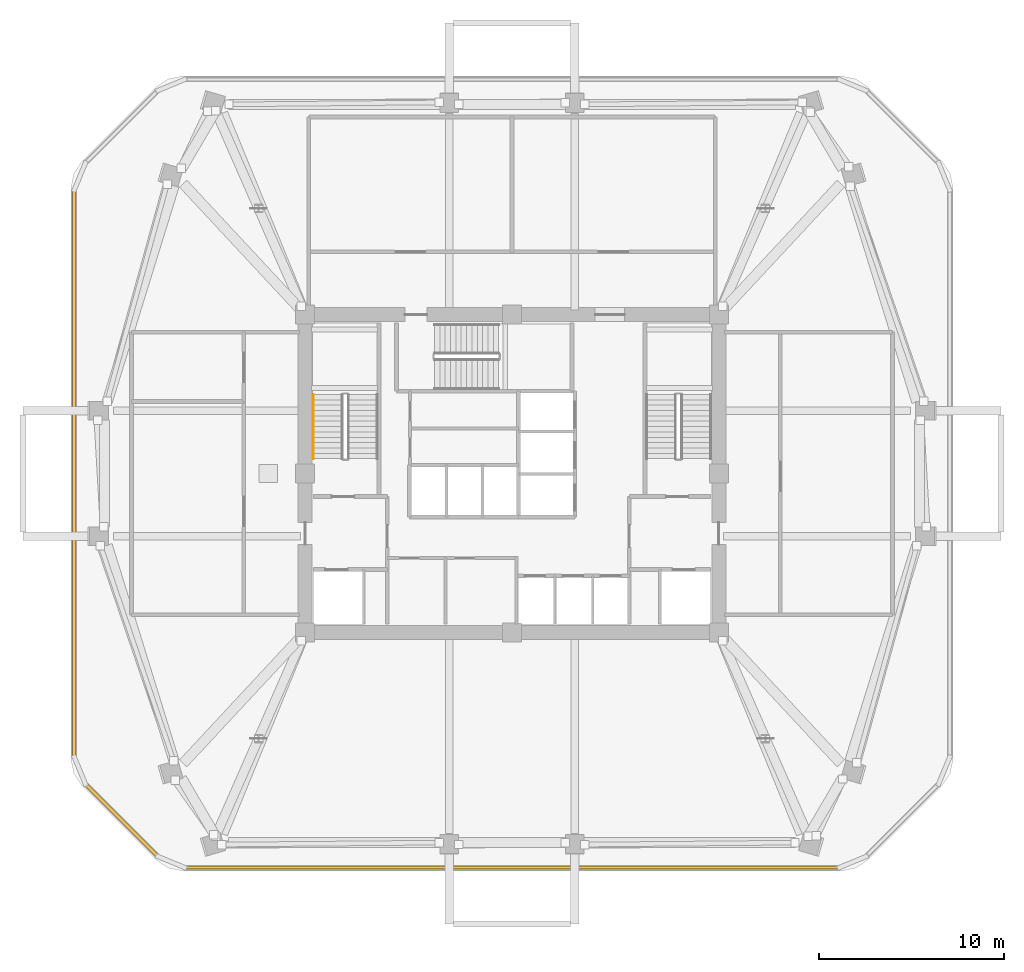
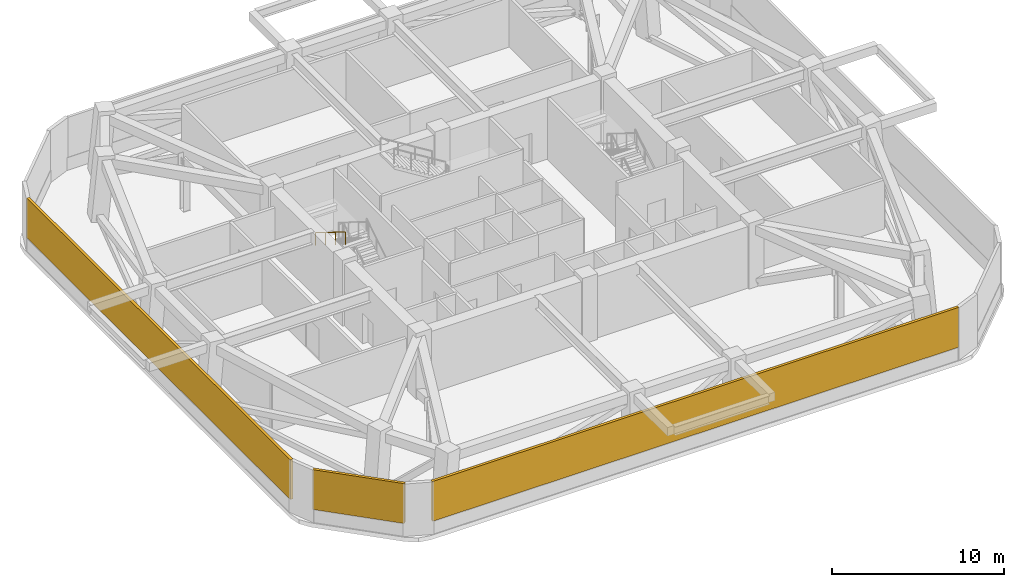
# One storey, part 6 of 8: 3 shading devices, 1 railing.
"""IFC4 building model written with IfcOpenShell, lengths in metres."""

from ifc_helpers import new_model, si_unit, derived_unit, direction, frame, origin, origin_2d, place, context, subcontext, project, spatial, rectangle, extrude, material, layer, layer_set, type_object, element, save


model = new_model("IFC4")

# Units and contexts
model_context = context("Model", 3, precision=1e-05, world=origin(), true_north=direction((0.0, 1.0)))
body_context = subcontext(model_context, "Body", "Model", "MODEL_VIEW")
ifc_project = project(units=[si_unit("LENGTHUNIT", "METRE"), si_unit("AREAUNIT", "SQUARE_METRE"), si_unit("VOLUMEUNIT", "CUBIC_METRE"), si_unit("PLANEANGLEUNIT", "RADIAN"), si_unit("MASSUNIT", "GRAM", prefix="KILO"), derived_unit("THERMALTRANSMITTANCEUNIT", [(si_unit("POWERUNIT", "WATT"), 1), (si_unit("LENGTHUNIT", "METRE"), -2), (si_unit("THERMODYNAMICTEMPERATUREUNIT", "KELVIN"), -1)])], contexts=[model_context])

# Site, building, storey
site_placement = place(None, origin())
site = spatial("IfcSite", under=ifc_project, at=site_placement, CompositionType="ELEMENT")
building_placement = place(site_placement, origin())
building = spatial("IfcBuilding", under=site, at=building_placement, Name="Koralith Skygarden Medical Center", CompositionType="ELEMENT")
storey_placement = place(building_placement, frame((0.0, 0.0, 124.3798828125)))
storey = spatial("IfcBuildingStorey", under=building, at=storey_placement, Name="L32", CompositionType="ELEMENT", Elevation=124.3798828125)

# Shading devices
ifc_material_1 = material(Name="Aluminium 6063-T6", Category="aluminium")
ifc_layer = layer(ifc_material_1, 0.179931640625)
ifc_layer_set = layer_set([ifc_layer], Name="Aluminium 6063-T6")
shading_device_type = type_object("IfcShadingDeviceType", Name="Mechanical Plant Acoustic Hurricane Louvre", PredefinedType="JALOUSIE", material=ifc_layer_set)
shading_device_1_placement = place(storey_placement, frame((37.0, 4.56494140625, 0.900146484375), z_axis=(0.0, 0.0, 1.0), x_axis=(1.0, 0.0, 0.0)))
element("IfcShadingDevice", 1, at=shading_device_1_placement, inside=storey, type_object=shading_device_type, Name="L32 Plant Acoustic Hurricane Louvre S", PredefinedType="JALOUSIE", context=body_context, shape_type="SweptSolid", body=[
    extrude(rectangle(XDim=35.443115234375, YDim=0.179931640625, at=origin_2d()), origin(), (0.0, 0.0, 1.0), 2.830078125),
])
shading_device_2_placement = place(storey_placement, frame((13.302978515625, 25.89990234375, 0.900146484375), z_axis=(0.0, 0.0, 1.0), x_axis=(0.0, -1.0, 0.0)))
element("IfcShadingDevice", 2, at=shading_device_2_placement, inside=storey, type_object=shading_device_type, Name="L32 Plant Acoustic Hurricane Louvre W", PredefinedType="JALOUSIE", context=body_context, shape_type="SweptSolid", body=[
    extrude(rectangle(XDim=30.718994140625, YDim=0.179931640625, at=origin_2d()), origin(), (0.0, 0.0, 1.0), 2.830078125),
])
shading_device_3_placement = place(storey_placement, frame((15.865966796875, 7.1279296875, 0.900146484375), z_axis=(0.0, 0.0, 1.0), x_axis=(0.707106781187, -0.707106781187, 0.0)))
element("IfcShadingDevice", 3, at=shading_device_3_placement, inside=storey, type_object=shading_device_type, Name="L32 Plant Acoustic Hurricane Louvre SW", PredefinedType="JALOUSIE", context=body_context, shape_type="SweptSolid", body=[
    extrude(rectangle(XDim=5.548095703125, YDim=0.179931640625, at=origin_2d()), origin(), (0.0, 0.0, 1.0), 2.830078125),
])

# Railing
ifc_material_2 = material(Name="Steel ASTM A500 Grade C", Category="steel")
railing_type = type_object("IfcRailingType", Name="Stair Flight Tubular Handrail 920", PredefinedType="HANDRAIL", material=ifc_material_2)
railing_placement = place(storey_placement, frame((26.25, 30.179931640625, 2.52001953125)))
element("IfcRailing", 4, at=railing_placement, inside=storey, type_object=railing_type, Name="L32 ST1 stair handrail 2", PredefinedType="HANDRAIL", context=body_context, shape_type="SweptSolid", body=[
    extrude(rectangle(XDim=0.050048828125, YDim=0.050048828125, at=origin_2d()), frame((0.0, -0.001708984375, 0.89599609375), z_axis=(0.0, -0.849621746706, 0.527392536471), x_axis=(1.0, 0.0, 0.0)), (0.0, 0.0, 1.0), 4.091796875),
    extrude(rectangle(XDim=0.0419921875, YDim=0.0419921875, at=origin_2d()), origin(), (0.0, 0.0, 1.0), 0.867919921875),
    extrude(rectangle(XDim=0.0419921875, YDim=0.0419921875, at=origin_2d()), frame((0.0, -1.159912109375, 0.719970703125)), (0.0, 0.0, 1.0), 0.867919921875),
    extrude(rectangle(XDim=0.0419921875, YDim=0.0419921875, at=origin_2d()), frame((0.0, -2.320068359375, 1.440185546875)), (0.0, 0.0, 1.0), 0.867919921875),
    extrude(rectangle(XDim=0.0419921875, YDim=0.0419921875, at=origin_2d()), frame((0.0, -3.47998046875, 2.16015625)), (0.0, 0.0, 1.0), 0.867919921875),
])

save(model, "model.ifc")
